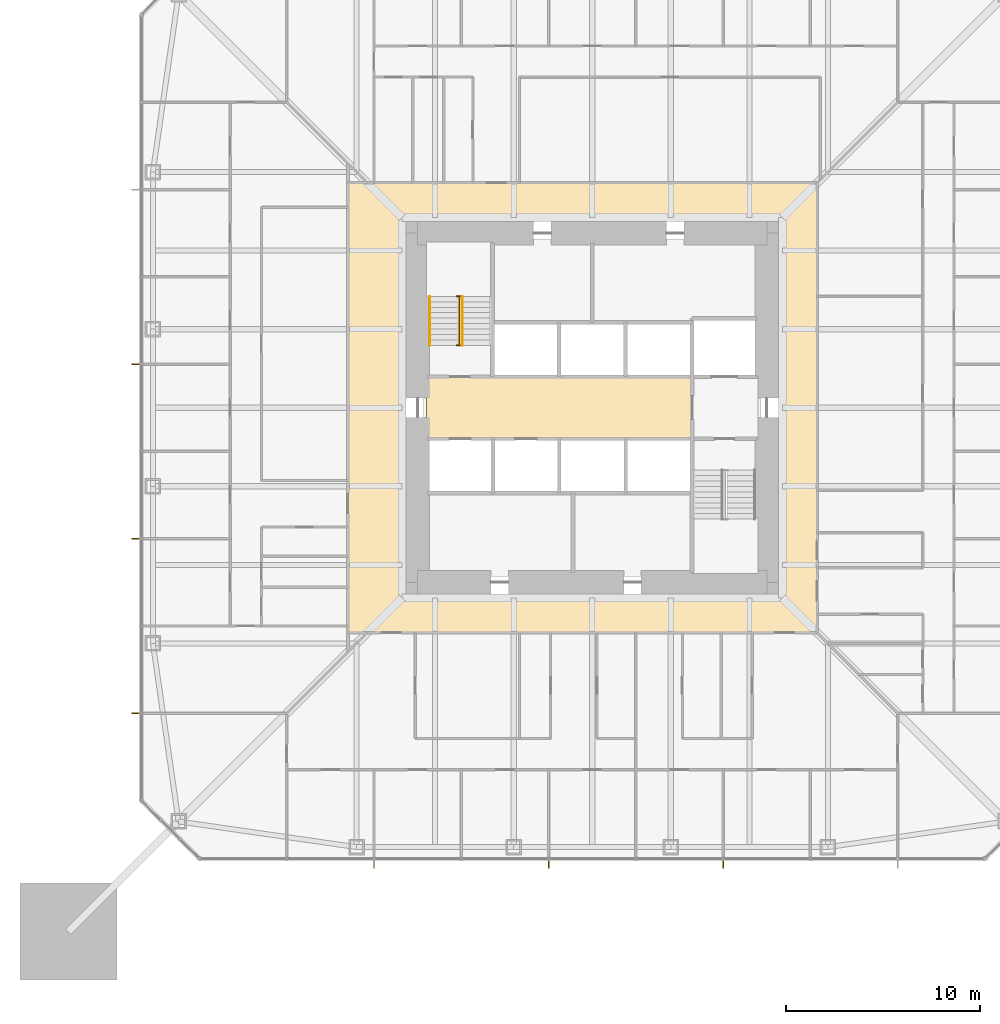
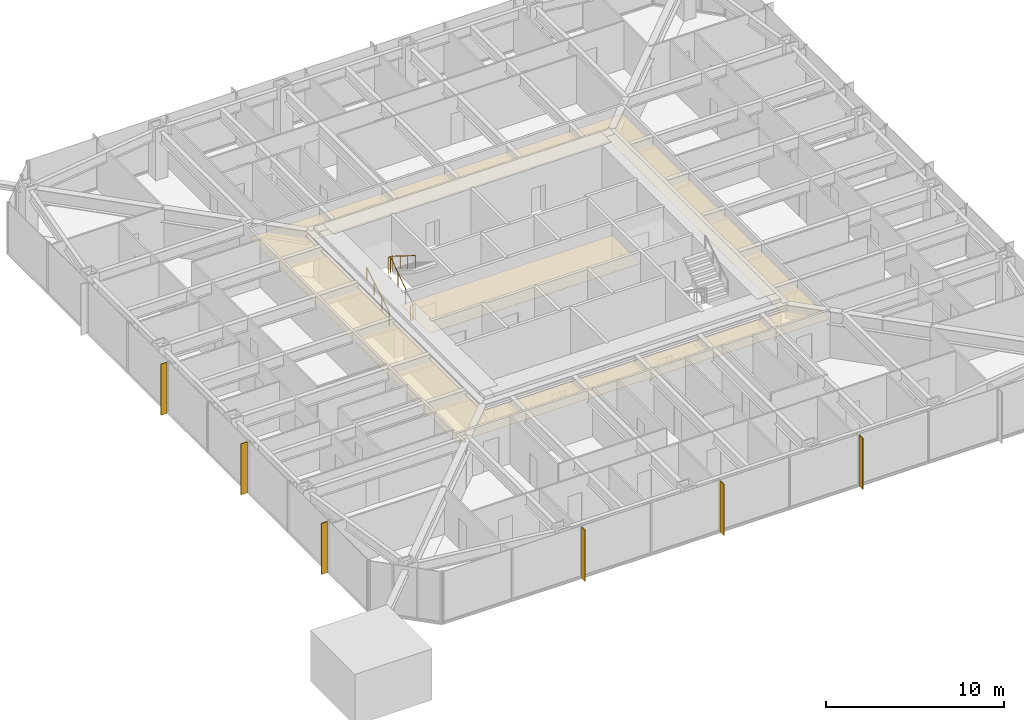
# One storey, part 23 of 26: 6 shading devices, 3 railings, 2 coverings.
"""IFC4 building model written with IfcOpenShell, lengths in metres."""

from ifc_helpers import new_model, si_unit, direction, frame, origin, origin_2d, place, context, subcontext, project, spatial, polyline, rectangle, circle, outline, extrude, material, layer, layer_set, constituent, constituent_set, type_object, element, save


model = new_model("IFC4")

# Units and contexts
model_context = context("Model", 3, precision=1e-05, world=origin(), true_north=direction((0.0, 1.0)))
body_context = subcontext(model_context, "Body", "Model", "MODEL_VIEW")
ifc_project = project(units=[si_unit("LENGTHUNIT", "METRE"), si_unit("AREAUNIT", "SQUARE_METRE"), si_unit("VOLUMEUNIT", "CUBIC_METRE"), si_unit("PLANEANGLEUNIT", "RADIAN"), si_unit("MASSUNIT", "GRAM", prefix="KILO")], contexts=[model_context])

# Site, building, storey
site_placement = place(None, origin())
site = spatial("IfcSite", under=ifc_project, at=site_placement, CompositionType="ELEMENT")
building_placement = place(site_placement, origin())
building = spatial("IfcBuilding", under=site, at=building_placement, Name="Iwan Alto Co-Living Towers", CompositionType="ELEMENT")
storey_placement = place(building_placement, frame((0.0, 0.0, 50.0)))
storey = spatial("IfcBuildingStorey", under=building, at=storey_placement, Name="L13", CompositionType="ELEMENT", Elevation=50.0)

# Covering
ifc_material_1 = material(Name="Mineral fibre acoustic tiles on steel grid", Category="steel")
ifc_layer_1 = layer(ifc_material_1, 0.02001953125)
ifc_layer_set_1 = layer_set([ifc_layer_1], Name="ACOUSTIC TILE CEILING 20")
covering_type_1 = type_object("IfcCoveringType", Name="ACOUSTIC TILE CEILING 20", PredefinedType="CEILING", material=ifc_layer_set_1)
covering_1_placement = place(storey_placement, frame((0.0, 0.0, 2.60009765625)))
element("IfcCovering", 1, at=covering_1_placement, inside=storey, type_object=covering_type_1, Name="Ceiling Lift lobby L13", PredefinedType="CEILING", context=body_context, shape_type="SweptSolid", body=[
    extrude(outline(polyline([(-8.550048828125, -1.60009765625), (-8.550048828125, 1.60009765625), (5.14990234375, 1.60009765625), (5.14990234375, -1.60009765625), (-8.550048828125, -1.60009765625)])), origin(), (0.0, 0.0, 1.0), 0.02001953125),
])

# Shading devices
ifc_material_2 = material(Name="Aluminium 6063-T6 bronze anodised", Category="aluminium")
ifc_layer_2 = layer(ifc_material_2, 0.050048828125)
ifc_layer_set_2 = layer_set([ifc_layer_2], Name="BRONZE FIN 50X400")
shading_device_type = type_object("IfcShadingDeviceType", Name="BRONZE FIN 50X400", PredefinedType="USERDEFINED", material=ifc_layer_set_2)
for number, where, z_axis, x_axis, name in (
    (2, (-11.25, -23.550048828125, 0.0), (0.0, 0.0, 1.0), (1.0, 0.0, 0.0), "Bronze fin L13"),
    (3, (-2.25, -23.550048828125, 0.0), (0.0, 0.0, 1.0), (1.0, 0.0, 0.0), "Bronze fin L13"),
    (4, (6.75, -23.550048828125, 0.0), (0.0, 0.0, 1.0), (1.0, 0.0, 0.0), "Bronze fin L13"),
    (5, (-23.550048828125, 2.25, 0.0), (0.0, 0.0, 1.0), (0.0, -1.0, 0.0), "Bronze fin L13"),
    (6, (-23.550048828125, -6.75, 0.0), (0.0, 0.0, 1.0), (0.0, -1.0, 0.0), "Bronze fin L13"),
    (7, (-23.550048828125, -15.75, 0.0), (0.0, 0.0, 1.0), (0.0, -1.0, 0.0), "Bronze fin L13"),
):
    element("IfcShadingDevice", number, at=place(storey_placement, frame(where, z_axis=z_axis, x_axis=x_axis)), inside=storey, type_object=shading_device_type, Name=name, ObjectType="LOUVER", PredefinedType="USERDEFINED", context=body_context, shape_type="SweptSolid", body=[
        extrude(rectangle(XDim=0.050048828125, YDim=0.39990234375, at=origin_2d()), origin(), (0.0, 0.0, 1.0), 3.5),
    ])

# Railings
ifc_material_3 = material(Name="Steel ASTM A500 Gr C", Category="steel")
ifc_constituent_1 = constituent(ifc_material_3, Name="Rails and posts", Category="Framing")
ifc_material_4 = material(Name="Steel ASTM A36", Category="steel")
ifc_constituent_2 = constituent(ifc_material_4, Name="Bar infill", Category="Infill")
ifc_constituent_set = constituent_set(constituents=[ifc_constituent_1, ifc_constituent_2], Name="STAIR GUARD 1100")
railing_type_1 = type_object("IfcRailingType", Name="STAIR GUARD 1100", PredefinedType="GUARDRAIL", material=ifc_constituent_set)
railing_1_placement = place(storey_placement, frame((-6.85009765625, 3.219970703125, 0.0)))
element("IfcRailing", 8, at=railing_1_placement, inside=storey, type_object=railing_type_1, Name="Stair T1-S1 well guard L13", PredefinedType="GUARDRAIL", context=body_context, shape_type="SweptSolid", body=[
    extrude(circle(Radius=0.02392578125, at=origin_2d()), frame((0.0, 0.0, 1.076171875), z_axis=(0.0, 0.821372036852, 0.570392826987), x_axis=(-1.0, 0.0, 0.0)), (0.0, 0.0, 1.0), 3.068115234375),
    extrude(circle(Radius=0.02392578125, at=origin_2d()), frame((-0.14990234375, 0.0, 1.076171875), z_axis=(1.0, 0.0, 0.0), x_axis=(0.0, 1.0, 0.0)), (0.0, 0.0, 1.0), 0.300048828125),
    extrude(circle(Radius=0.02392578125, at=origin_2d()), frame((-0.14990234375, 2.52001953125, 2.826171875), z_axis=(1.0, 0.0, 0.0), x_axis=(0.0, 1.0, 0.0)), (0.0, 0.0, 1.0), 0.300048828125),
    extrude(circle(Radius=0.02099609375, at=origin_2d()), origin(), (0.0, 0.0, 1.0), 1.052001953125),
    extrude(circle(Radius=0.02099609375, at=origin_2d()), frame((0.0, 0.840087890625, 0.583251953125)), (0.0, 0.0, 1.0), 1.052001953125),
    extrude(circle(Radius=0.02099609375, at=origin_2d()), frame((0.0, 1.679931640625, 1.166748046875)), (0.0, 0.0, 1.0), 1.052001953125),
    extrude(circle(Radius=0.02099609375, at=origin_2d()), frame((0.0, 2.52001953125, 1.75)), (0.0, 0.0, 1.0), 1.052001953125),
    extrude(circle(Radius=0.02099609375, at=origin_2d()), frame((-0.14990234375, 0.0, 0.0)), (0.0, 0.0, 1.0), 1.052001953125),
    extrude(circle(Radius=0.02099609375, at=origin_2d()), frame((0.150146484375, 0.0, 0.0)), (0.0, 0.0, 1.0), 1.052001953125),
    extrude(circle(Radius=0.02099609375, at=origin_2d()), frame((-0.14990234375, 2.52001953125, 1.75)), (0.0, 0.0, 1.0), 1.052001953125),
    extrude(circle(Radius=0.02099609375, at=origin_2d()), frame((0.150146484375, 2.52001953125, 1.75)), (0.0, 0.0, 1.0), 1.052001953125),
])
ifc_material_5 = material(Name="Steel ASTM A500 Gr C", Category="steel")
railing_type_2 = type_object("IfcRailingType", Name="STAIR HANDRAIL 900", PredefinedType="HANDRAIL", material=ifc_material_5)
railing_2_placement = place(storey_placement, frame((-8.3798828125, 3.219970703125, 0.175048828125)))
element("IfcRailing", 9, at=railing_2_placement, inside=storey, type_object=railing_type_2, Name="Stair T1-S1 handrail 1 L13", PredefinedType="HANDRAIL", context=body_context, shape_type="SweptSolid", body=[
    extrude(circle(Radius=0.02392578125, at=origin_2d()), frame((0.0, 0.0, 0.8759765625), z_axis=(0.0, 0.848007534815, 0.529984170421), x_axis=(-1.0, 0.0, 0.0)), (0.0, 0.0, 1.0), 2.9716796875),
    extrude(circle(Radius=0.02099609375, at=origin_2d()), origin(), (0.0, 0.0, 1.0), 0.851806640625),
    extrude(circle(Radius=0.02099609375, at=origin_2d()), frame((0.0, 0.840087890625, 0.52490234375)), (0.0, 0.0, 1.0), 0.851806640625),
    extrude(circle(Radius=0.02099609375, at=origin_2d()), frame((0.0, 1.679931640625, 1.050048828125)), (0.0, 0.0, 1.0), 0.851806640625),
    extrude(circle(Radius=0.02099609375, at=origin_2d()), frame((0.0, 2.52001953125, 1.574951171875)), (0.0, 0.0, 1.0), 0.851806640625),
])
railing_3_placement = place(storey_placement, frame((-6.699951171875, 5.739990234375, 1.925048828125)))
element("IfcRailing", 10, at=railing_3_placement, inside=storey, type_object=railing_type_2, Name="Stair T1-S1 handrail 2 L13", PredefinedType="HANDRAIL", context=body_context, shape_type="SweptSolid", body=[
    extrude(circle(Radius=0.02392578125, at=origin_2d()), frame((0.0, 0.0, 0.8759765625), z_axis=(0.0, -0.848007534815, 0.529984170421), x_axis=(1.0, 0.0, 0.0)), (0.0, 0.0, 1.0), 2.9716796875),
    extrude(circle(Radius=0.02099609375, at=origin_2d()), origin(), (0.0, 0.0, 1.0), 0.851806640625),
    extrude(circle(Radius=0.02099609375, at=origin_2d()), frame((0.0, -0.840087890625, 0.52490234375)), (0.0, 0.0, 1.0), 0.851806640625),
    extrude(circle(Radius=0.02099609375, at=origin_2d()), frame((0.0, -1.679931640625, 1.050048828125)), (0.0, 0.0, 1.0), 0.851806640625),
    extrude(circle(Radius=0.02099609375, at=origin_2d()), frame((0.0, -2.52001953125, 1.574951171875)), (0.0, 0.0, 1.0), 0.851806640625),
])

# Covering
ifc_material_6 = material(Name="Gypsum plasterboard on steel grid", Category="steel")
ifc_layer_3 = layer(ifc_material_6, 0.014892578125)
ifc_layer_set_3 = layer_set([ifc_layer_3], Name="SUSPENDED PLASTERBOARD CEILING 15")
covering_type_2 = type_object("IfcCoveringType", Name="SUSPENDED PLASTERBOARD CEILING 15", PredefinedType="CEILING", material=ifc_layer_set_3)
covering_2_placement = place(storey_placement, frame((0.0, 0.0, 2.60009765625)))
element("IfcCovering", 11, at=covering_2_placement, inside=storey, type_object=covering_type_2, Name="Ceiling Corridor L13", PredefinedType="CEILING", context=body_context, shape_type="SweptSolid", body=[
    extrude(outline(polyline([(-12.60009765625, 11.60009765625), (11.60009765625, 11.60009765625), (11.60009765625, -11.60009765625), (-12.60009765625, -11.60009765625), (-12.60009765625, 11.60009765625)]), holes=[polyline([(-9.60009765625, 9.60009765625), (-9.60009765625, -9.60009765625), (9.60009765625, -9.60009765625), (9.60009765625, 9.60009765625), (-9.60009765625, 9.60009765625)])]), origin(), (0.0, 0.0, 1.0), 0.014892578125),
])

save(model, "model.ifc")
